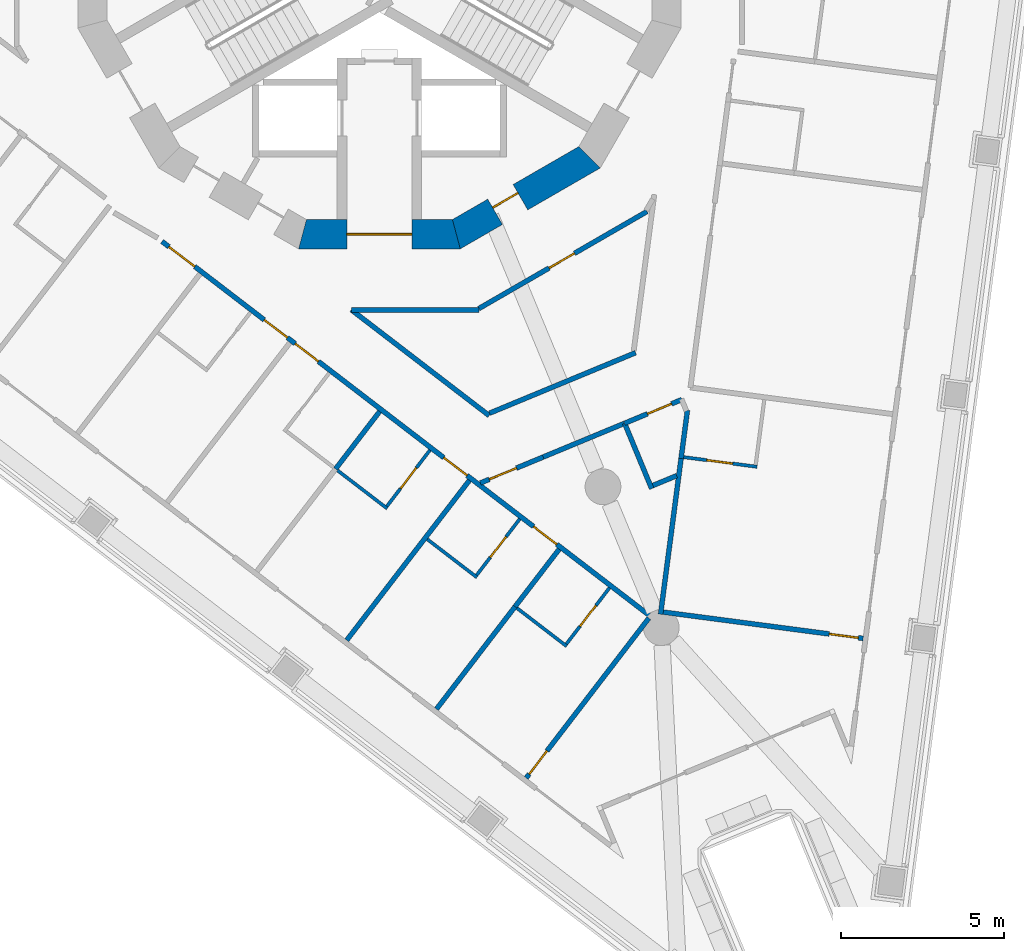
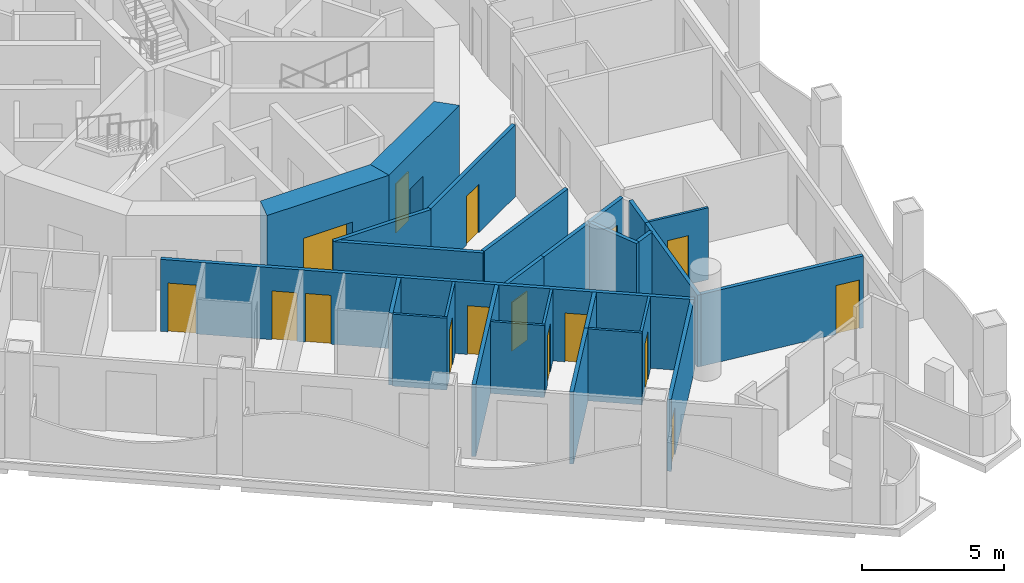
# One storey, part 4 of 17: 27 walls, 16 doors, 16 openings.
"""IFC4 building model written with IfcOpenShell, lengths in metres."""

from ifc_helpers import new_model, si_unit, direction, frame, frame_2d, origin, place, context, subcontext, project, spatial, polyline, rectangle, outline, extrude, material, layer, layer_set, type_object, element, fill, save


model = new_model("IFC4")

# Units and contexts
model_context = context("Model", 3, precision=1e-05, world=origin(), true_north=direction((0.0, 1.0)))
body_context = subcontext(model_context, "Body", "Model", "MODEL_VIEW")
ifc_project = project(units=[si_unit("LENGTHUNIT", "METRE"), si_unit("AREAUNIT", "SQUARE_METRE"), si_unit("VOLUMEUNIT", "CUBIC_METRE"), si_unit("PLANEANGLEUNIT", "RADIAN"), si_unit("MASSUNIT", "GRAM", prefix="KILO")], contexts=[model_context])

# Site, building, storey
site_placement = place(None, origin())
site = spatial("IfcSite", under=ifc_project, at=site_placement, CompositionType="ELEMENT")
building_placement = place(site_placement, origin())
building = spatial("IfcBuilding", under=site, at=building_placement, Name="Trine Commons Tower", CompositionType="ELEMENT")
storey_placement = place(building_placement, frame((0.0, 0.0, 153.0)))
storey = spatial("IfcBuildingStorey", under=building, at=storey_placement, Name="L39", CompositionType="ELEMENT", Elevation=153.0)

# Wall, opening, door
ifc_material_1 = material(Name="Concrete C70/85", Category="concrete")
ifc_layer_1 = layer(ifc_material_1, 0.89990234375)
ifc_layer_set_1 = layer_set([ifc_layer_1], Name="Concrete C70/85")
wall_type_1 = type_object("IfcWallType", Name="RC shear wall 900 mm, C70/85", PredefinedType="SHEAR", material=ifc_layer_set_1)
wall_1_placement = place(storey_placement, frame((77.515380859375, 53.677001953125, 0.0), z_axis=(0.0, 0.0, 1.0), x_axis=(1.0, 0.0, 0.0)))
wall_1 = element("IfcWall", 1, at=wall_1_placement, inside=storey, type_object=wall_type_1, Name="Core wall CWD-10 L39", PredefinedType="SHEAR", context=body_context, shape_type="SweptSolid", body=[
    extrude(outline(polyline([(0.0, -0.449951171875), (4.969482421875, -0.449951171875), (4.728271484375, 0.449951171875), (0.2412109375, 0.449951171875), (0.0, -0.449951171875)])), origin(), (0.0, 0.0, 1.0), 3.60009765625),
])
opening_1_placement = place(wall_1_placement, frame((1.484619140625, 0.0, 0.0)))
opening_1 = element("IfcOpeningElement", 2, at=opening_1_placement, cuts=wall_1, Name="Opening K10.08", PredefinedType="OPENING", context=body_context, shape_type="SweptSolid", body=[
    extrude(rectangle(XDim=2.0, YDim=2.10009765625, at=frame_2d((1.0, 1.050048828125))), frame((0.0, 0.4599609375, 0.0), z_axis=(0.0, -1.0, 0.0), x_axis=(1.0, 0.0, 0.0)), (0.0, 0.0, 1.0), 0.919921875),
])
ifc_material_2 = material(Name="Steel door leaves, fire-rated", Category="steel")
door_type_1 = type_object("IfcDoorType", Name="Lobby door, double leaf 2000 x 2100, FD60", OperationType="DOUBLE_DOOR_SINGLE_SWING", PredefinedType="DOOR", material=ifc_material_2)
door_1_placement = place(opening_1_placement, origin())
door_1 = element("IfcDoor", 3, at=door_1_placement, inside=storey, type_object=door_type_1, Name="Lobby door, Service and firefighting lobby L39", OperationType="DOUBLE_DOOR_SINGLE_SWING", OverallHeight=2.10009765625, OverallWidth=2.0, PredefinedType="DOOR", context=body_context, shape_type="SweptSolid", body=[
    extrude(rectangle(XDim=2.0, YDim=2.10009765625, at=frame_2d((1.0, 1.050048828125))), frame((0.0, 0.02490234375, 0.0), z_axis=(0.0, -1.0, 0.0), x_axis=(1.0, 0.0, 0.0)), (0.0, 0.0, 1.0), 0.050048828125),
])
fill(opening_1, door_1)

wall_2_placement = place(storey_placement, frame((82.259765625, 53.61669921875, 0.0), z_axis=(0.0, 0.0, 1.0), x_axis=(0.866003133579, 0.500038571144, 0.0)))
wall_2 = element("IfcWall", 4, at=wall_2_placement, inside=storey, type_object=wall_type_1, Name="Core wall CWD-11 L39", PredefinedType="SHEAR", context=body_context, shape_type="SweptSolid", body=[
    extrude(outline(polyline([(0.0, -0.449951171875), (4.96923828125, -0.449951171875), (4.72802734375, 0.449951171875), (0.2412109375, 0.449951171875), (0.0, -0.449951171875)])), origin(), (0.0, 0.0, 1.0), 3.60009765625),
])
opening_2_placement = place(wall_2_placement, frame((1.4951171875, 0.0, 0.0)))
opening_2 = element("IfcOpeningElement", 5, at=opening_2_placement, cuts=wall_2, Name="Opening K10.18", PredefinedType="OPENING", context=body_context, shape_type="SweptSolid", body=[
    extrude(rectangle(XDim=0.89990234375, YDim=2.10009765625, at=frame_2d((0.449951171875, 1.050048828125))), frame((0.0, 0.4599609375, 0.0), z_axis=(0.0, -1.0, 0.0), x_axis=(1.0, 0.0, 0.0)), (0.0, 0.0, 1.0), 0.919921875),
])
ifc_material_3 = material(Name="Steel door leaf, fire-rated", Category="steel")
door_type_2 = type_object("IfcDoorType", Name="Core room door, single leaf 900 x 2100, FD30S", OperationType="SINGLE_SWING_LEFT", PredefinedType="DOOR", material=ifc_material_3)
door_2_placement = place(opening_2_placement, origin())
door_2 = element("IfcDoor", 6, at=door_2_placement, inside=storey, type_object=door_type_2, Name="Door to Parcel store L39", OperationType="SINGLE_SWING_LEFT", OverallHeight=2.10009765625, OverallWidth=0.89990234375, PredefinedType="DOOR", context=body_context, shape_type="SweptSolid", body=[
    extrude(rectangle(XDim=0.89990234375, YDim=2.10009765625, at=frame_2d((0.449951171875, 1.050048828125))), frame((0.0, 0.1748046875, 0.0), z_axis=(0.0, -1.0, 0.0), x_axis=(1.0, 0.0, 0.0)), (0.0, 0.0, 1.0), 0.050048828125),
])
fill(opening_2, door_2)

# Wall, openings, doors
ifc_material_4 = material(Name="Gypsum plasterboard on steel stud", Category="steel")
ifc_layer_2 = layer(ifc_material_4, 0.14990234375)
ifc_layer_set_2 = layer_set([ifc_layer_2], Name="Gypsum plasterboard on steel stud")
wall_type_2 = type_object("IfcWallType", Name="Unit and corridor wall 150 mm, EI 60", PredefinedType="PARTITIONING", material=ifc_layer_set_2)
wall_3_placement = place(storey_placement, frame((73.318115234375, 53.4541015625, 0.0), z_axis=(0.0, 0.0, 1.0), x_axis=(0.793337765411, -0.60878172605, 0.0)))
wall_3 = element("IfcWall", 7, at=wall_3_placement, inside=storey, type_object=wall_type_2, Name="Partition 055", PredefinedType="PARTITIONING", context=body_context, shape_type="SweptSolid", body=[
    extrude(rectangle(XDim=18.994873046875, YDim=0.14990234375, at=frame_2d((9.49755859375, 0.0))), origin(), (0.0, 0.0, 1.0), 3.10009765625),
])
opening_3_placement = place(wall_3_placement, frame((14.39306640625, 0.0, 0.0)))
opening_3 = element("IfcOpeningElement", 8, at=opening_3_placement, cuts=wall_3, Name="Opening D-4C23", PredefinedType="OPENING", context=body_context, shape_type="SweptSolid", body=[
    extrude(rectangle(XDim=0.89990234375, YDim=2.10009765625, at=frame_2d((0.449951171875, 1.050048828125))), frame((0.0, 0.0849609375, 0.0), z_axis=(0.0, -1.0, 0.0), x_axis=(1.0, 0.0, 0.0)), (0.0, 0.0, 1.0), 0.169921875),
])
opening_4_placement = place(wall_3_placement, frame((10.91552734375, 0.0, 0.0)))
opening_4 = element("IfcOpeningElement", 9, at=opening_4_placement, cuts=wall_3, Name="Opening D-4C24", PredefinedType="OPENING", context=body_context, shape_type="SweptSolid", body=[
    extrude(rectangle(XDim=0.89990234375, YDim=2.10009765625, at=frame_2d((0.449951171875, 1.050048828125))), frame((0.0, 0.0849609375, 0.0), z_axis=(0.0, -1.0, 0.0), x_axis=(1.0, 0.0, 0.0)), (0.0, 0.0, 1.0), 0.169921875),
])
opening_5_placement = place(wall_3_placement, frame((5.160400390625, 0.0, 0.0)))
opening_5 = element("IfcOpeningElement", 10, at=opening_5_placement, cuts=wall_3, Name="Opening D-4C25", PredefinedType="OPENING", context=body_context, shape_type="SweptSolid", body=[
    extrude(rectangle(XDim=0.89990234375, YDim=2.10009765625, at=frame_2d((0.449951171875, 1.050048828125))), frame((0.0, 0.0849609375, 0.0), z_axis=(0.0, -1.0, 0.0), x_axis=(1.0, 0.0, 0.0)), (0.0, 0.0, 1.0), 0.169921875),
])
opening_6_placement = place(wall_3_placement, frame((3.960205078125, 0.0, 0.0)))
opening_6 = element("IfcOpeningElement", 11, at=opening_6_placement, cuts=wall_3, Name="Opening D-4C26", PredefinedType="OPENING", context=body_context, shape_type="SweptSolid", body=[
    extrude(rectangle(XDim=0.89990234375, YDim=2.10009765625, at=frame_2d((0.449951171875, 1.050048828125))), frame((0.0, 0.0849609375, 0.0), z_axis=(0.0, -1.0, 0.0), x_axis=(1.0, 0.0, 0.0)), (0.0, 0.0, 1.0), 0.169921875),
])
opening_7_placement = place(wall_3_placement, frame((0.266357421875, 0.0, 0.0)))
opening_7 = element("IfcOpeningElement", 12, at=opening_7_placement, cuts=wall_3, Name="Opening D-4C27", PredefinedType="OPENING", context=body_context, shape_type="SweptSolid", body=[
    extrude(rectangle(XDim=1.0, YDim=2.10009765625, at=frame_2d((0.5, 1.050048828125))), frame((0.0, 0.0849609375, 0.0), z_axis=(0.0, -1.0, 0.0), x_axis=(1.0, 0.0, 0.0)), (0.0, 0.0, 1.0), 0.169921875),
])
ifc_material_5 = material(Name="Painted timber", Category="wood")
door_type_3 = type_object("IfcDoorType", Name="Amenity room door 1000 x 2100, NOT RATED", OperationType="NOTDEFINED", PredefinedType="DOOR", material=ifc_material_5)
door_3_placement = place(opening_7_placement, frame((1.0, 0.0, 0.0), z_axis=(0.0, 0.0, 1.0), x_axis=(-1.0, 0.0, 0.0)))
door_3 = element("IfcDoor", 13, at=door_3_placement, inside=storey, type_object=door_type_3, Name="Door D-4C27", OperationType="SINGLE_SWING_RIGHT", OverallHeight=2.10009765625, OverallWidth=1.0, PredefinedType="DOOR", context=body_context, shape_type="SweptSolid", body=[
    extrude(rectangle(XDim=1.0, YDim=2.10009765625, at=frame_2d((0.5, 1.050048828125))), frame((0.0, 0.02490234375, 0.0), z_axis=(0.0, -1.0, 0.0), x_axis=(1.0, 0.0, 0.0)), (0.0, 0.0, 1.0), 0.050048828125),
])
fill(opening_7, door_3)
ifc_material_6 = material(Name="Timber fire door set", Category="wood")
door_type_4 = type_object("IfcDoorType", Name="Bedroom door 900 x 2100, FD30S", OperationType="NOTDEFINED", PredefinedType="DOOR", material=ifc_material_6)
door_4_placement = place(opening_3_placement, frame((0.89990234375, 0.0, 0.0), z_axis=(0.0, 0.0, 1.0), x_axis=(-1.0, 0.0, 0.0)))
door_4 = element("IfcDoor", 14, at=door_4_placement, inside=storey, type_object=door_type_4, Name="Door D-4C23", OperationType="SINGLE_SWING_LEFT", OverallHeight=2.10009765625, OverallWidth=0.89990234375, PredefinedType="DOOR", context=body_context, shape_type="SweptSolid", body=[
    extrude(rectangle(XDim=0.89990234375, YDim=2.10009765625, at=frame_2d((0.449951171875, 1.050048828125))), frame((0.0, 0.02490234375, 0.0), z_axis=(0.0, -1.0, 0.0), x_axis=(1.0, 0.0, 0.0)), (0.0, 0.0, 1.0), 0.050048828125),
])
fill(opening_3, door_4)
door_5_placement = place(opening_4_placement, frame((0.89990234375, 0.0, 0.0), z_axis=(0.0, 0.0, 1.0), x_axis=(-1.0, 0.0, 0.0)))
door_5 = element("IfcDoor", 15, at=door_5_placement, inside=storey, type_object=door_type_4, Name="Door D-4C24", OperationType="SINGLE_SWING_LEFT", OverallHeight=2.10009765625, OverallWidth=0.89990234375, PredefinedType="DOOR", context=body_context, shape_type="SweptSolid", body=[
    extrude(rectangle(XDim=0.89990234375, YDim=2.10009765625, at=frame_2d((0.449951171875, 1.050048828125))), frame((0.0, 0.02490234375, 0.0), z_axis=(0.0, -1.0, 0.0), x_axis=(1.0, 0.0, 0.0)), (0.0, 0.0, 1.0), 0.050048828125),
])
fill(opening_4, door_5)
door_6_placement = place(opening_5_placement, frame((0.89990234375, 0.0, 0.0), z_axis=(0.0, 0.0, 1.0), x_axis=(-1.0, 0.0, 0.0)))
door_6 = element("IfcDoor", 16, at=door_6_placement, inside=storey, type_object=door_type_4, Name="Door D-4C25", OperationType="SINGLE_SWING_RIGHT", OverallHeight=2.10009765625, OverallWidth=0.89990234375, PredefinedType="DOOR", context=body_context, shape_type="SweptSolid", body=[
    extrude(rectangle(XDim=0.89990234375, YDim=2.10009765625, at=frame_2d((0.449951171875, 1.050048828125))), frame((0.0, 0.02490234375, 0.0), z_axis=(0.0, -1.0, 0.0), x_axis=(1.0, 0.0, 0.0)), (0.0, 0.0, 1.0), 0.050048828125),
])
fill(opening_5, door_6)
door_7_placement = place(opening_6_placement, frame((0.89990234375, 0.0, 0.0), z_axis=(0.0, 0.0, 1.0), x_axis=(-1.0, 0.0, 0.0)))
door_7 = element("IfcDoor", 17, at=door_7_placement, inside=storey, type_object=door_type_4, Name="Door D-4C26", OperationType="SINGLE_SWING_RIGHT", OverallHeight=2.10009765625, OverallWidth=0.89990234375, PredefinedType="DOOR", context=body_context, shape_type="SweptSolid", body=[
    extrude(rectangle(XDim=0.89990234375, YDim=2.10009765625, at=frame_2d((0.449951171875, 1.050048828125))), frame((0.0, 0.02490234375, 0.0), z_axis=(0.0, -1.0, 0.0), x_axis=(1.0, 0.0, 0.0)), (0.0, 0.0, 1.0), 0.050048828125),
])
fill(opening_6, door_7)

# Walls
wall_4_placement = place(storey_placement, frame((78.652099609375, 46.4619140625, 0.0), z_axis=(0.0, 0.0, 1.0), x_axis=(0.608601979206, 0.793475664975, 0.0)))
element("IfcWall", 18, at=wall_4_placement, inside=storey, type_object=wall_type_2, Name="Partition 067", PredefinedType="PARTITIONING", context=body_context, shape_type="SweptSolid", body=[
    extrude(rectangle(XDim=2.22509765625, YDim=0.14990234375, at=frame_2d((1.112548828125, 0.0))), origin(), (0.0, 0.0, 1.0), 3.10009765625),
])
wall_5_placement = place(storey_placement, frame((78.994384765625, 41.19677734375, 0.0), z_axis=(0.0, 0.0, 1.0), x_axis=(0.608811285709, 0.79331508141, 0.0)))
element("IfcWall", 19, at=wall_5_placement, inside=storey, type_object=wall_type_2, Name="Partition 069", PredefinedType="PARTITIONING", context=body_context, shape_type="SweptSolid", body=[
    extrude(rectangle(XDim=6.194091796875, YDim=0.14990234375, at=frame_2d((3.09716796875, 0.0))), origin(), (0.0, 0.0, 1.0), 3.10009765625),
])
wall_6_placement = place(storey_placement, frame((79.134033203125, 51.35205078125, 0.0), z_axis=(0.0, 0.0, 1.0), x_axis=(1.0, 0.0, 0.0)))
element("IfcWall", 20, at=wall_6_placement, inside=storey, type_object=wall_type_2, Name="Partition 070", PredefinedType="PARTITIONING", context=body_context, shape_type="SweptSolid", body=[
    extrude(rectangle(XDim=3.927978515625, YDim=0.14990234375, at=frame_2d((1.9638671875, 0.0))), origin(), (0.0, 0.0, 1.0), 3.10009765625),
])
wall_7_placement = place(storey_placement, frame((79.137939453125, 51.35205078125, 0.0), z_axis=(0.0, 0.0, 1.0), x_axis=(0.793274409151, -0.608864280268, 0.0)))
element("IfcWall", 21, at=wall_7_placement, inside=storey, type_object=wall_type_2, Name="Partition 071", PredefinedType="PARTITIONING", context=body_context, shape_type="SweptSolid", body=[
    extrude(rectangle(XDim=5.340576171875, YDim=0.14990234375, at=frame_2d((2.67041015625, 0.0))), origin(), (0.0, 0.0, 1.0), 3.10009765625),
])
wall_8_placement = place(storey_placement, frame((81.75341796875, 39.07958984375, 0.0), z_axis=(0.0, 0.0, 1.0), x_axis=(0.608586492439, 0.793487543204, 0.0)))
element("IfcWall", 22, at=wall_8_placement, inside=storey, type_object=wall_type_2, Name="Partition 079", PredefinedType="PARTITIONING", context=body_context, shape_type="SweptSolid", body=[
    extrude(rectangle(XDim=3.968994140625, YDim=0.14990234375, at=frame_2d((1.984375, 0.0))), origin(), (0.0, 0.0, 1.0), 3.10009765625),
])

# Wall, opening, door
wall_9_placement = place(storey_placement, frame((83.052001953125, 51.389404296875, 0.0), z_axis=(0.0, 0.0, 1.0), x_axis=(0.866039280689, 0.499975963725, 0.0)))
wall_9 = element("IfcWall", 23, at=wall_9_placement, inside=storey, type_object=wall_type_2, Name="Partition 083", PredefinedType="PARTITIONING", context=body_context, shape_type="SweptSolid", body=[
    extrude(rectangle(XDim=5.974365234375, YDim=0.14990234375, at=frame_2d((2.9873046875, 0.0))), origin(), (0.0, 0.0, 1.0), 3.10009765625),
])
opening_8_placement = place(wall_9_placement, frame((2.499755859375, 0.0, 0.0)))
opening_8 = element("IfcOpeningElement", 24, at=opening_8_placement, cuts=wall_9, Name="Opening D-4C33", PredefinedType="OPENING", context=body_context, shape_type="SweptSolid", body=[
    extrude(rectangle(XDim=0.89990234375, YDim=2.10009765625, at=frame_2d((0.449951171875, 1.050048828125))), frame((0.0, 0.0849609375, 0.0), z_axis=(0.0, -1.0, 0.0), x_axis=(1.0, 0.0, 0.0)), (0.0, 0.0, 1.0), 0.169921875),
])
door_type_5 = type_object("IfcDoorType", Name="Service door 900 x 2100, FD30S", OperationType="NOTDEFINED", PredefinedType="DOOR", material=ifc_material_6)
door_8_placement = place(opening_8_placement, frame((0.89990234375, 0.0, 0.0), z_axis=(0.0, 0.0, 1.0), x_axis=(-1.0, 0.0, 0.0)))
door_8 = element("IfcDoor", 25, at=door_8_placement, inside=storey, type_object=door_type_5, Name="Door D-4C33", OperationType="SINGLE_SWING_RIGHT", OverallHeight=2.10009765625, OverallWidth=0.89990234375, PredefinedType="DOOR", context=body_context, shape_type="SweptSolid", body=[
    extrude(rectangle(XDim=0.89990234375, YDim=2.10009765625, at=frame_2d((0.449951171875, 1.050048828125))), frame((0.0, 0.02490234375, 0.0), z_axis=(0.0, -1.0, 0.0), x_axis=(1.0, 0.0, 0.0)), (0.0, 0.0, 1.0), 0.050048828125),
])
fill(opening_8, door_8)

wall_10_placement = place(storey_placement, frame((83.102294921875, 46.02880859375, 0.0), z_axis=(0.0, 0.0, 1.0), x_axis=(0.923986937012, 0.382424031973, 0.0)))
wall_10 = element("IfcWall", 26, at=wall_10_placement, inside=storey, type_object=wall_type_2, Name="Partition 085", PredefinedType="PARTITIONING", context=body_context, shape_type="SweptSolid", body=[
    extrude(rectangle(XDim=2.089599609375, YDim=0.14990234375, at=frame_2d((1.044921875, 0.0))), origin(), (0.0, 0.0, 1.0), 3.10009765625),
])
opening_9_placement = place(wall_10_placement, frame((0.2978515625, 0.0, 0.0)))
opening_9 = element("IfcOpeningElement", 27, at=opening_9_placement, cuts=wall_10, Name="Opening D-4C02", PredefinedType="OPENING", context=body_context, shape_type="SweptSolid", body=[
    extrude(rectangle(XDim=0.89990234375, YDim=2.10009765625, at=frame_2d((0.449951171875, 1.050048828125))), frame((0.0, 0.0849609375, 0.0), z_axis=(0.0, -1.0, 0.0), x_axis=(1.0, 0.0, 0.0)), (0.0, 0.0, 1.0), 0.169921875),
])
door_type_6 = type_object("IfcDoorType", Name="Cluster entrance door 900 x 2100, FD30S", OperationType="NOTDEFINED", PredefinedType="DOOR", material=ifc_material_6)
door_9_placement = place(opening_9_placement, frame((0.89990234375, 0.0, 0.0), z_axis=(0.0, 0.0, 1.0), x_axis=(-1.0, 0.0, 0.0)))
door_9 = element("IfcDoor", 28, at=door_9_placement, inside=storey, type_object=door_type_6, Name="Door D-4C02", OperationType="SINGLE_SWING_RIGHT", OverallHeight=2.10009765625, OverallWidth=0.89990234375, PredefinedType="DOOR", context=body_context, shape_type="SweptSolid", body=[
    extrude(rectangle(XDim=0.89990234375, YDim=2.10009765625, at=frame_2d((0.449951171875, 1.050048828125))), frame((0.0, 0.02490234375, 0.0), z_axis=(0.0, -1.0, 0.0), x_axis=(1.0, 0.0, 0.0)), (0.0, 0.0, 1.0), 0.050048828125),
])
fill(opening_9, door_9)

# Walls
wall_11_placement = place(storey_placement, frame((83.38427734375, 48.1748046875, 0.0), z_axis=(0.0, 0.0, 1.0), x_axis=(0.923876009177, 0.382691938335, 0.0)))
element("IfcWall", 29, at=wall_11_placement, inside=storey, type_object=wall_type_2, Name="Partition 086", PredefinedType="PARTITIONING", context=body_context, shape_type="SweptSolid", body=[
    extrude(rectangle(XDim=4.85986328125, YDim=0.14990234375, at=frame_2d((2.429931640625, 0.0))), origin(), (0.0, 0.0, 1.0), 3.10009765625),
])
wall_12_placement = place(storey_placement, frame((84.1689453125, 42.22900390625, 0.0), z_axis=(0.0, 0.0, 1.0), x_axis=(0.609212171412, 0.793007269956, 0.0)))
element("IfcWall", 30, at=wall_12_placement, inside=storey, type_object=wall_type_2, Name="Partition 088", PredefinedType="PARTITIONING", context=body_context, shape_type="SweptSolid", body=[
    extrude(rectangle(XDim=2.224853515625, YDim=0.14990234375, at=frame_2d((1.1123046875, 0.0))), origin(), (0.0, 0.0, 1.0), 3.10009765625),
])

# Wall, opening, door
wall_13_placement = place(storey_placement, frame((84.51220703125, 36.962646484375, 0.0), z_axis=(0.0, 0.0, 1.0), x_axis=(0.608712047114, 0.79339122991, 0.0)))
wall_13 = element("IfcWall", 31, at=wall_13_placement, inside=storey, type_object=wall_type_2, Name="Partition 090", PredefinedType="PARTITIONING", context=body_context, shape_type="SweptSolid", body=[
    extrude(rectangle(XDim=6.193359375, YDim=0.14990234375, at=frame_2d((3.0966796875, 0.0))), origin(), (0.0, 0.0, 1.0), 3.10009765625),
])
opening_10_placement = place(wall_13_placement, frame((0.14990234375, 0.0, 0.0)))
opening_10 = element("IfcOpeningElement", 32, at=opening_10_placement, cuts=wall_13, Name="Opening D-4C22", PredefinedType="OPENING", context=body_context, shape_type="SweptSolid", body=[
    extrude(rectangle(XDim=0.89990234375, YDim=2.10009765625, at=frame_2d((0.449951171875, 1.050048828125))), frame((0.0, 0.0849609375, 0.0), z_axis=(0.0, -1.0, 0.0), x_axis=(1.0, 0.0, 0.0)), (0.0, 0.0, 1.0), 0.169921875),
])
door_10_placement = place(opening_10_placement, origin())
door_10 = element("IfcDoor", 33, at=door_10_placement, inside=storey, type_object=door_type_4, Name="Door D-4C22", OperationType="SINGLE_SWING_LEFT", OverallHeight=2.10009765625, OverallWidth=0.89990234375, PredefinedType="DOOR", context=body_context, shape_type="SweptSolid", body=[
    extrude(rectangle(XDim=0.89990234375, YDim=2.10009765625, at=frame_2d((0.449951171875, 1.050048828125))), frame((0.0, 0.02490234375, 0.0), z_axis=(0.0, -1.0, 0.0), x_axis=(1.0, 0.0, 0.0)), (0.0, 0.0, 1.0), 0.050048828125),
])
fill(opening_10, door_10)

# Wall
wall_14_placement = place(storey_placement, frame((85.032958984375, 46.827880859375, 0.0), z_axis=(0.0, 0.0, 1.0), x_axis=(0.923769467477, 0.382949044857, 0.0)))
element("IfcWall", 34, at=wall_14_placement, inside=storey, type_object=wall_type_2, Name="Partition 092", PredefinedType="PARTITIONING", context=body_context, shape_type="SweptSolid", body=[
    extrude(rectangle(XDim=2.695556640625, YDim=0.14990234375, at=frame_2d((1.34765625, 0.0))), origin(), (0.0, 0.0, 1.0), 3.10009765625),
])

# Wall, opening, door
wall_15_placement = place(storey_placement, frame((87.532958984375, 47.864013671875, 0.0), z_axis=(0.0, 0.0, 1.0), x_axis=(0.923851437131, 0.382751253571, 0.0)))
wall_15 = element("IfcWall", 35, at=wall_15_placement, inside=storey, type_object=wall_type_2, Name="Partition 098", PredefinedType="PARTITIONING", context=body_context, shape_type="SweptSolid", body=[
    extrude(rectangle(XDim=1.9072265625, YDim=0.14990234375, at=frame_2d((0.95361328125, 0.0))), origin(), (0.0, 0.0, 1.0), 3.10009765625),
])
opening_11_placement = place(wall_15_placement, frame((0.764892578125, 0.0, 0.0)))
opening_11 = element("IfcOpeningElement", 36, at=opening_11_placement, cuts=wall_15, Name="Opening D-4C04", PredefinedType="OPENING", context=body_context, shape_type="SweptSolid", body=[
    extrude(rectangle(XDim=0.800048828125, YDim=2.10009765625, at=frame_2d((0.39990234375, 1.050048828125))), frame((0.0, 0.0849609375, 0.0), z_axis=(0.0, -1.0, 0.0), x_axis=(1.0, 0.0, 0.0)), (0.0, 0.0, 1.0), 0.169921875),
])
door_type_7 = type_object("IfcDoorType", Name="Toilet door 800 x 2100, NOT RATED", OperationType="NOTDEFINED", PredefinedType="DOOR", material=ifc_material_5)
door_11_placement = place(opening_11_placement, frame((0.800048828125, 0.0, 0.0), z_axis=(0.0, 0.0, 1.0), x_axis=(-1.0, 0.0, 0.0)))
door_11 = element("IfcDoor", 37, at=door_11_placement, inside=storey, type_object=door_type_7, Name="Door D-4C04", OperationType="SINGLE_SWING_LEFT", OverallHeight=2.10009765625, OverallWidth=0.800048828125, PredefinedType="DOOR", context=body_context, shape_type="SweptSolid", body=[
    extrude(rectangle(XDim=0.800048828125, YDim=2.10009765625, at=frame_2d((0.39990234375, 1.050048828125))), frame((0.0, 0.02490234375, 0.0), z_axis=(0.0, -1.0, 0.0), x_axis=(1.0, 0.0, 0.0)), (0.0, 0.0, 1.0), 0.050048828125),
])
fill(opening_11, door_11)

# Walls
wall_16_placement = place(storey_placement, frame((87.537109375, 47.864990234375, 0.0), z_axis=(0.0, 0.0, 1.0), x_axis=(0.382398068784, -0.923997682351, 0.0)))
element("IfcWall", 38, at=wall_16_placement, inside=storey, type_object=wall_type_2, Name="Partition 099", PredefinedType="PARTITIONING", context=body_context, shape_type="SweptSolid", body=[
    extrude(rectangle(XDim=2.174560546875, YDim=0.14990234375, at=frame_2d((1.08740234375, 0.0))), origin(), (0.0, 0.0, 1.0), 3.10009765625),
])
wall_17_placement = place(storey_placement, frame((88.4091796875, 45.95361328125, 0.0), z_axis=(0.0, 0.0, 1.0), x_axis=(0.92369931044, 0.383118237484, 0.0)))
element("IfcWall", 39, at=wall_17_placement, inside=storey, type_object=wall_type_2, Name="Partition 105", PredefinedType="PARTITIONING", context=body_context, shape_type="SweptSolid", body=[
    extrude(rectangle(XDim=0.78759765625, YDim=0.14990234375, at=frame_2d((0.393798828125, 0.0))), origin(), (0.0, 0.0, 1.0), 3.10009765625),
])
wall_18_placement = place(storey_placement, frame((88.64111328125, 41.99560546875, 0.0), z_axis=(0.0, 0.0, 1.0), x_axis=(0.130614848927, 0.991433185464, 0.0)))
element("IfcWall", 40, at=wall_18_placement, inside=storey, type_object=wall_type_2, Name="Partition 106", PredefinedType="PARTITIONING", context=body_context, shape_type="SweptSolid", body=[
    extrude(rectangle(XDim=4.884033203125, YDim=0.14990234375, at=frame_2d((2.44189453125, 0.0))), origin(), (0.0, 0.0, 1.0), 3.10009765625),
])

# Wall, opening, door
wall_19_placement = place(storey_placement, frame((88.725341796875, 42.060302734375, 0.0), z_axis=(0.0, 0.0, 1.0), x_axis=(0.991454966236, -0.130449415202, 0.0)))
wall_19 = element("IfcWall", 41, at=wall_19_placement, inside=storey, type_object=wall_type_2, Name="Partition 107", PredefinedType="PARTITIONING", context=body_context, shape_type="SweptSolid", body=[
    extrude(rectangle(XDim=6.19482421875, YDim=0.14990234375, at=frame_2d((3.097412109375, 0.0))), origin(), (0.0, 0.0, 1.0), 3.10009765625),
])
opening_12_placement = place(wall_19_placement, frame((5.14501953125, 0.0, 0.0)))
opening_12 = element("IfcOpeningElement", 42, at=opening_12_placement, cuts=wall_19, Name="Opening D-4C21", PredefinedType="OPENING", context=body_context, shape_type="SweptSolid", body=[
    extrude(rectangle(XDim=0.89990234375, YDim=2.10009765625, at=frame_2d((0.449951171875, 1.050048828125))), frame((0.0, 0.0849609375, 0.0), z_axis=(0.0, -1.0, 0.0), x_axis=(1.0, 0.0, 0.0)), (0.0, 0.0, 1.0), 0.169921875),
])
door_12_placement = place(opening_12_placement, origin())
door_12 = element("IfcDoor", 43, at=door_12_placement, inside=storey, type_object=door_type_4, Name="Door D-4C21", OperationType="SINGLE_SWING_RIGHT", OverallHeight=2.10009765625, OverallWidth=0.89990234375, PredefinedType="DOOR", context=body_context, shape_type="SweptSolid", body=[
    extrude(rectangle(XDim=0.89990234375, YDim=2.10009765625, at=frame_2d((0.449951171875, 1.050048828125))), frame((0.0, 0.02490234375, 0.0), z_axis=(0.0, -1.0, 0.0), x_axis=(1.0, 0.0, 0.0)), (0.0, 0.0, 1.0), 0.050048828125),
])
fill(opening_12, door_12)

# Walls
wall_20_placement = place(storey_placement, frame((89.271484375, 46.780517578125, 0.0), z_axis=(0.0, 0.0, 1.0), x_axis=(0.130968577384, 0.991386519849, 0.0)))
element("IfcWall", 44, at=wall_20_placement, inside=storey, type_object=wall_type_2, Name="Partition 109", PredefinedType="PARTITIONING", context=body_context, shape_type="SweptSolid", body=[
    extrude(rectangle(XDim=1.498779296875, YDim=0.14990234375, at=frame_2d((0.74951171875, 0.0))), origin(), (0.0, 0.0, 1.0), 3.10009765625),
])
ifc_layer_3 = layer(ifc_material_4, 0.10009765625)
ifc_layer_set_3 = layer_set([ifc_layer_3], Name="Gypsum plasterboard on steel stud")
wall_type_3 = type_object("IfcWallType", Name="Unit partition 100 mm, no rating", PredefinedType="PARTITIONING", material=ifc_layer_set_3)
wall_21_placement = place(storey_placement, frame((78.71142578125, 46.416259765625, 0.0), z_axis=(0.0, 0.0, 1.0), x_axis=(0.793438942522, -0.608649853766, 0.0)))
element("IfcWall", 45, at=wall_21_placement, inside=storey, type_object=wall_type_3, Name="Partition 068", PredefinedType="PARTITIONING", context=body_context, shape_type="SweptSolid", body=[
    extrude(rectangle(XDim=1.925048828125, YDim=0.10009765625, at=frame_2d((0.96240234375, 0.0))), origin(), (0.0, 0.0, 1.0), 3.10009765625),
])

# Wall, opening, door
wall_22_placement = place(storey_placement, frame((80.2294921875, 45.314697265625, 0.0), z_axis=(0.0, 0.0, 1.0), x_axis=(0.608674216197, 0.79342025342, 0.0)))
wall_22 = element("IfcWall", 46, at=wall_22_placement, inside=storey, type_object=wall_type_3, Name="Partition 074", PredefinedType="PARTITIONING", context=body_context, shape_type="SweptSolid", body=[
    extrude(rectangle(XDim=2.17529296875, YDim=0.10009765625, at=frame_2d((1.087646484375, 0.0))), origin(), (0.0, 0.0, 1.0), 3.10009765625),
])
opening_13_placement = place(wall_22_placement, frame((0.6875, 0.0, 0.0)))
opening_13 = element("IfcOpeningElement", 47, at=opening_13_placement, cuts=wall_22, Name="Opening D-4C55", PredefinedType="OPENING", context=body_context, shape_type="SweptSolid", body=[
    extrude(rectangle(XDim=0.800048828125, YDim=2.10009765625, at=frame_2d((0.39990234375, 1.050048828125))), frame((0.0, 0.06005859375, 0.0), z_axis=(0.0, -1.0, 0.0), x_axis=(1.0, 0.0, 0.0)), (0.0, 0.0, 1.0), 0.1201171875),
])
door_type_8 = type_object("IfcDoorType", Name="Internal door 800 x 2100, NOT RATED", OperationType="NOTDEFINED", PredefinedType="DOOR", material=ifc_material_5)
door_13_placement = place(opening_13_placement, frame((0.800048828125, 0.0, 0.0), z_axis=(0.0, 0.0, 1.0), x_axis=(-1.0, 0.0, 0.0)))
door_13 = element("IfcDoor", 48, at=door_13_placement, inside=storey, type_object=door_type_8, Name="Door D-4C55", OperationType="SINGLE_SWING_LEFT", OverallHeight=2.10009765625, OverallWidth=0.800048828125, PredefinedType="DOOR", context=body_context, shape_type="SweptSolid", body=[
    extrude(rectangle(XDim=0.800048828125, YDim=2.10009765625, at=frame_2d((0.39990234375, 1.050048828125))), frame((0.0, 0.02490234375, 0.0), z_axis=(0.0, -1.0, 0.0), x_axis=(1.0, 0.0, 0.0)), (0.0, 0.0, 1.0), 0.050048828125),
])
fill(opening_13, door_13)

# Wall
wall_23_placement = place(storey_placement, frame((81.470458984375, 44.30029296875, 0.0), z_axis=(0.0, 0.0, 1.0), x_axis=(0.793132716202, -0.609048844092, 0.0)))
element("IfcWall", 49, at=wall_23_placement, inside=storey, type_object=wall_type_3, Name="Partition 078", PredefinedType="PARTITIONING", context=body_context, shape_type="SweptSolid", body=[
    extrude(rectangle(XDim=1.92578125, YDim=0.10009765625, at=frame_2d((0.962890625, 0.0))), origin(), (0.0, 0.0, 1.0), 3.10009765625),
])

# Wall, opening, door
wall_24_placement = place(storey_placement, frame((82.98828125, 43.19775390625, 0.0), z_axis=(0.0, 0.0, 1.0), x_axis=(0.608744865415, 0.793366049709, 0.0)))
wall_24 = element("IfcWall", 50, at=wall_24_placement, inside=storey, type_object=wall_type_3, Name="Partition 082", PredefinedType="PARTITIONING", context=body_context, shape_type="SweptSolid", body=[
    extrude(rectangle(XDim=2.17529296875, YDim=0.10009765625, at=frame_2d((1.087646484375, 0.0))), origin(), (0.0, 0.0, 1.0), 3.10009765625),
])
opening_14_placement = place(wall_24_placement, frame((0.6875, 0.0, 0.0)))
opening_14 = element("IfcOpeningElement", 51, at=opening_14_placement, cuts=wall_24, Name="Opening D-4C54", PredefinedType="OPENING", context=body_context, shape_type="SweptSolid", body=[
    extrude(rectangle(XDim=0.800048828125, YDim=2.10009765625, at=frame_2d((0.39990234375, 1.050048828125))), frame((0.0, 0.06005859375, 0.0), z_axis=(0.0, -1.0, 0.0), x_axis=(1.0, 0.0, 0.0)), (0.0, 0.0, 1.0), 0.1201171875),
])
door_14_placement = place(opening_14_placement, frame((0.800048828125, 0.0, 0.0), z_axis=(0.0, 0.0, 1.0), x_axis=(-1.0, 0.0, 0.0)))
door_14 = element("IfcDoor", 52, at=door_14_placement, inside=storey, type_object=door_type_8, Name="Door D-4C54", OperationType="SINGLE_SWING_LEFT", OverallHeight=2.10009765625, OverallWidth=0.800048828125, PredefinedType="DOOR", context=body_context, shape_type="SweptSolid", body=[
    extrude(rectangle(XDim=0.800048828125, YDim=2.10009765625, at=frame_2d((0.39990234375, 1.050048828125))), frame((0.0, 0.02490234375, 0.0), z_axis=(0.0, -1.0, 0.0), x_axis=(1.0, 0.0, 0.0)), (0.0, 0.0, 1.0), 0.050048828125),
])
fill(opening_14, door_14)

# Wall
wall_25_placement = place(storey_placement, frame((84.228515625, 42.183349609375, 0.0), z_axis=(0.0, 0.0, 1.0), x_axis=(0.793391951231, -0.608711106948, 0.0)))
element("IfcWall", 53, at=wall_25_placement, inside=storey, type_object=wall_type_3, Name="Partition 089", PredefinedType="PARTITIONING", context=body_context, shape_type="SweptSolid", body=[
    extrude(rectangle(XDim=1.9248046875, YDim=0.10009765625, at=frame_2d((0.96240234375, 0.0))), origin(), (0.0, 0.0, 1.0), 3.10009765625),
])

# Wall, opening, door
wall_26_placement = place(storey_placement, frame((85.74658203125, 41.081787109375, 0.0), z_axis=(0.0, 0.0, 1.0), x_axis=(0.60915721009, 0.793049489878, 0.0)))
wall_26 = element("IfcWall", 54, at=wall_26_placement, inside=storey, type_object=wall_type_3, Name="Partition 093", PredefinedType="PARTITIONING", context=body_context, shape_type="SweptSolid", body=[
    extrude(rectangle(XDim=2.174560546875, YDim=0.10009765625, at=frame_2d((1.08740234375, 0.0))), origin(), (0.0, 0.0, 1.0), 3.10009765625),
])
opening_15_placement = place(wall_26_placement, frame((0.6875, 0.0, 0.0)))
opening_15 = element("IfcOpeningElement", 55, at=opening_15_placement, cuts=wall_26, Name="Opening D-4C53", PredefinedType="OPENING", context=body_context, shape_type="SweptSolid", body=[
    extrude(rectangle(XDim=0.800048828125, YDim=2.10009765625, at=frame_2d((0.39990234375, 1.050048828125))), frame((0.0, 0.06005859375, 0.0), z_axis=(0.0, -1.0, 0.0), x_axis=(1.0, 0.0, 0.0)), (0.0, 0.0, 1.0), 0.1201171875),
])
door_15_placement = place(opening_15_placement, frame((0.800048828125, 0.0, 0.0), z_axis=(0.0, 0.0, 1.0), x_axis=(-1.0, 0.0, 0.0)))
door_15 = element("IfcDoor", 56, at=door_15_placement, inside=storey, type_object=door_type_8, Name="Door D-4C53", OperationType="SINGLE_SWING_LEFT", OverallHeight=2.10009765625, OverallWidth=0.800048828125, PredefinedType="DOOR", context=body_context, shape_type="SweptSolid", body=[
    extrude(rectangle(XDim=0.800048828125, YDim=2.10009765625, at=frame_2d((0.39990234375, 1.050048828125))), frame((0.0, 0.02490234375, 0.0), z_axis=(0.0, -1.0, 0.0), x_axis=(1.0, 0.0, 0.0)), (0.0, 0.0, 1.0), 0.050048828125),
])
fill(opening_15, door_15)

wall_27_placement = place(storey_placement, frame((89.353515625, 46.82421875, 0.0), z_axis=(0.0, 0.0, 1.0), x_axis=(0.991459774706, -0.130412864162, 0.0)))
wall_27 = element("IfcWall", 57, at=wall_27_placement, inside=storey, type_object=wall_type_3, Name="Partition 110", PredefinedType="PARTITIONING", context=body_context, shape_type="SweptSolid", body=[
    extrude(rectangle(XDim=2.274658203125, YDim=0.10009765625, at=frame_2d((1.13720703125, 0.0))), origin(), (0.0, 0.0, 1.0), 3.10009765625),
])
opening_16_placement = place(wall_27_placement, frame((0.71240234375, 0.0, 0.0)))
opening_16 = element("IfcOpeningElement", 58, at=opening_16_placement, cuts=wall_27, Name="Opening D-4C52", PredefinedType="OPENING", context=body_context, shape_type="SweptSolid", body=[
    extrude(rectangle(XDim=0.800048828125, YDim=2.10009765625, at=frame_2d((0.39990234375, 1.050048828125))), frame((0.0, 0.06005859375, 0.0), z_axis=(0.0, -1.0, 0.0), x_axis=(1.0, 0.0, 0.0)), (0.0, 0.0, 1.0), 0.1201171875),
])
door_16_placement = place(opening_16_placement, frame((0.800048828125, 0.0, 0.0), z_axis=(0.0, 0.0, 1.0), x_axis=(-1.0, 0.0, 0.0)))
door_16 = element("IfcDoor", 59, at=door_16_placement, inside=storey, type_object=door_type_8, Name="Door D-4C52", OperationType="SINGLE_SWING_RIGHT", OverallHeight=2.10009765625, OverallWidth=0.800048828125, PredefinedType="DOOR", context=body_context, shape_type="SweptSolid", body=[
    extrude(rectangle(XDim=0.800048828125, YDim=2.10009765625, at=frame_2d((0.39990234375, 1.050048828125))), frame((0.0, 0.02490234375, 0.0), z_axis=(0.0, -1.0, 0.0), x_axis=(1.0, 0.0, 0.0)), (0.0, 0.0, 1.0), 0.050048828125),
])
fill(opening_16, door_16)

save(model, "model.ifc")
